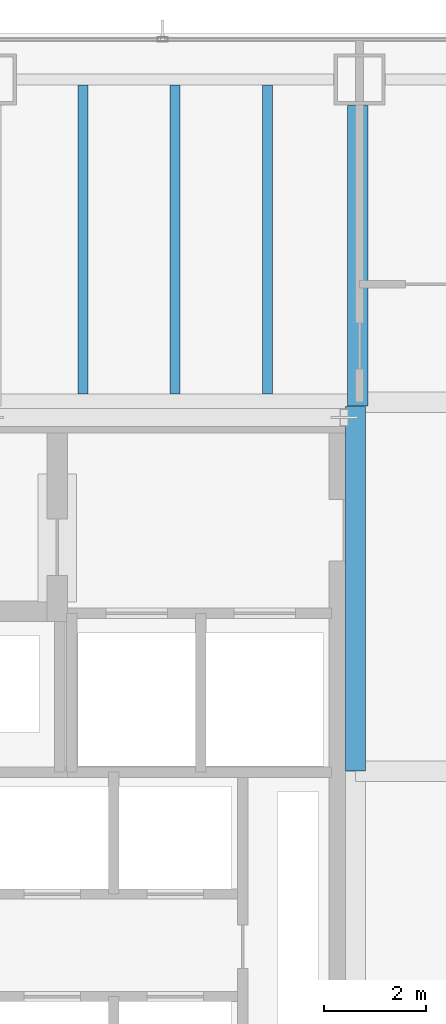
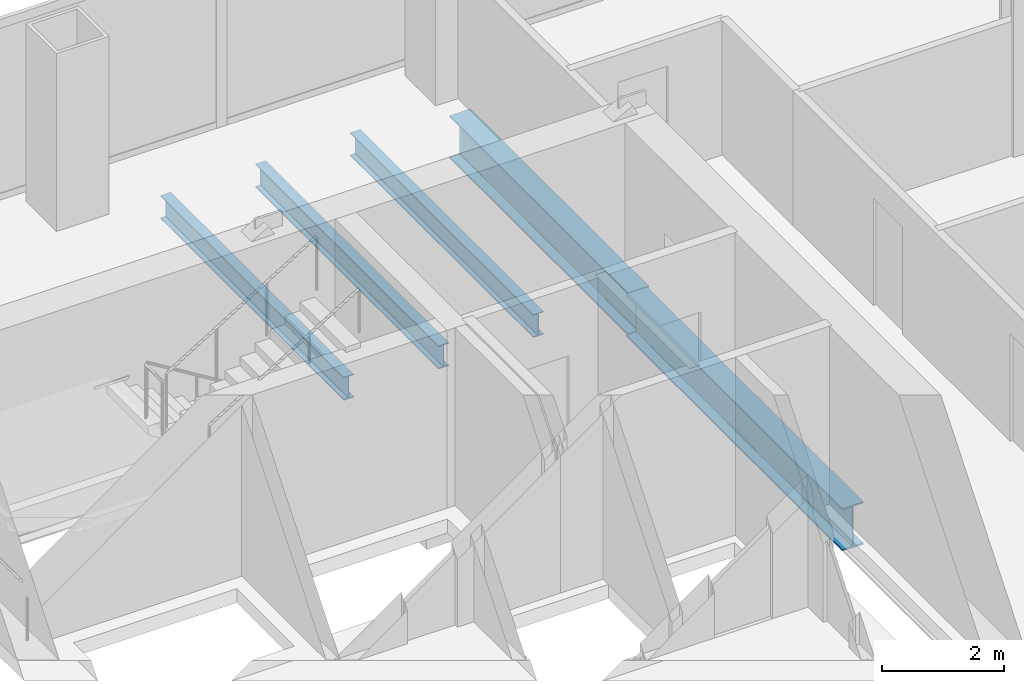
# One storey, part 15 of 24: 5 beams.
"""IFC4 building model written with IfcOpenShell, lengths in metres."""

import ifcopenshell
import ifcopenshell.guid

model = None  # the IFC model being written
_history = None  # IfcOwnerHistory: only IFC2X3 demands one
_inside = {}  # id of a spatial element -> (the spatial element, [elements in it])
_under = {}  # id of a project, library or spatial element -> (it, [spatial elements below it])
_declared = {}  # id of a project -> (the project, [libraries it declares])
_typed = {}  # id of a type object -> (the type object, [elements of that type])
_made_of = {}  # id of a material, layer set ... -> (it, [elements and type objects made of it])


def new_model(schema):
    """Start an empty IFC model of exactly this schema.

    Asked for "IFC4X3", IfcOpenShell would pick the latest addendum, in which some entities
    have other attributes; the version numbers below select the first issue.
    IFC2X3 requires an IfcOwnerHistory on every rooted entity: one is made here for all.
    """
    global model, _history
    if schema == "IFC4X3":
        model = ifcopenshell.file(schema_version=(4, 3, 0, 0))
    else:
        model = ifcopenshell.file(schema=schema)
    _inside.clear()
    _under.clear()
    _declared.clear()
    _typed.clear()
    _made_of.clear()
    _history = None
    if model.schema == "IFC2X3":
        org = make("IfcOrganization", Name="unknown")
        user = make(
            "IfcPersonAndOrganization",
            ThePerson=make("IfcPerson", FamilyName="unknown"),
            TheOrganization=org,
        )
        app = make(
            "IfcApplication",
            ApplicationDeveloper=org,
            Version="unknown",
            ApplicationFullName="unknown",
            ApplicationIdentifier="unknown",
        )
        _history = make(
            "IfcOwnerHistory",
            OwningUser=user,
            OwningApplication=app,
            ChangeAction="ADDED",
            CreationDate=0,
        )
    return model


def make(cls, **values):
    """One entity of the class cls with the attributes given. An attribute that is None is left unset."""
    return model.create_entity(
        cls, **{name: value for name, value in values.items() if value is not None}
    )


def rooted(cls, **values):
    """An entity with a GlobalId (a new one), such as an element, a storey or a relation."""
    return make(cls, GlobalId=ifcopenshell.guid.new(), OwnerHistory=_history, **values)


def si_unit(unit_type, name, prefix=None):
    """IfcSIUnit, for example si_unit("LENGTHUNIT", "METRE", prefix="MILLI")."""
    return make("IfcSIUnit", UnitType=unit_type, Prefix=prefix, Name=name)


def assignment(units):
    """IfcUnitAssignment: the units of a project."""
    return None if units is None else make("IfcUnitAssignment", Units=units)


def point(xyz):
    """IfcCartesianPoint."""
    return None if xyz is None else make("IfcCartesianPoint", Coordinates=xyz)


def direction(xyz):
    """IfcDirection."""
    return None if xyz is None else make("IfcDirection", DirectionRatios=xyz)


def frame(location, z_axis=None, x_axis=None):
    """IfcAxis2Placement3D, a coordinate frame: its origin and axes. An axis left out is left unset."""
    return make(
        "IfcAxis2Placement3D",
        Location=point(location),
        Axis=direction(z_axis),
        RefDirection=direction(x_axis),
    )


def frame_2d(location, x_axis=None):
    """IfcAxis2Placement2D, a coordinate frame in the plane: its origin and x axis."""
    return make(
        "IfcAxis2Placement2D", Location=point(location), RefDirection=direction(x_axis)
    )


def origin():
    """The frame at (0, 0, 0) with its axes left unset."""
    return frame((0.0, 0.0, 0.0))


def origin_2d():
    """The frame at (0, 0) in the plane with its x axis left unset."""
    return frame_2d((0.0, 0.0))


def place(relative_to, where):
    """IfcLocalPlacement: puts the frame where relative to a parent placement (None: the world)."""
    return make(
        "IfcLocalPlacement", PlacementRelTo=relative_to, RelativePlacement=where
    )


def context(
    kind, dimensions, precision=None, world=None, true_north=None, identifier=None
):
    """IfcGeometricRepresentationContext, for example the 3D "Model" context."""
    return make(
        "IfcGeometricRepresentationContext",
        ContextIdentifier=identifier,
        ContextType=kind,
        CoordinateSpaceDimension=dimensions,
        Precision=precision,
        WorldCoordinateSystem=world,
        TrueNorth=true_north,
    )


def subcontext(parent, identifier, kind, view, scale=None):
    """IfcGeometricRepresentationSubContext, for example "Body" below "Model"."""
    return make(
        "IfcGeometricRepresentationSubContext",
        ContextIdentifier=identifier,
        ContextType=kind,
        ParentContext=parent,
        TargetScale=scale,
        TargetView=view,
    )


def project(units=None, contexts=None):
    """IfcProject with its units and contexts."""
    return rooted(
        "IfcProject",
        Name="project",
        RepresentationContexts=contexts,
        UnitsInContext=assignment(units),
    )


def spatial(cls, under=None, at=None, **own):
    """A site, building, storey or space (cls), placed at a placement, below another one or the project."""
    s = rooted(cls, ObjectPlacement=at, **own)
    if under is not None:
        _under.setdefault(under.id(), (under, []))[1].append(s)
    return s


def profile(cls, at=None, kind="AREA", **sizes):
    """A parametric profile (cls). Its sizes go by their IFC names, for example OverallWidth=200.0."""
    return make(cls, ProfileType=kind, Position=at, **sizes)


def i_section(**sizes):
    """IfcIShapeProfileDef."""
    return profile("IfcIShapeProfileDef", **sizes)


def extrude(swept, where, along, depth):
    """IfcExtrudedAreaSolid: the profile swept, set in the frame where, extruded along a direction by depth."""
    return make(
        "IfcExtrudedAreaSolid",
        SweptArea=swept,
        Position=where,
        ExtrudedDirection=direction(along),
        Depth=depth,
    )


def shape(context_of_items, identifier, shape_type, items):
    """IfcShapeRepresentation: the items that make up one representation, for example the "Body"."""
    return make(
        "IfcShapeRepresentation",
        ContextOfItems=context_of_items,
        RepresentationIdentifier=identifier,
        RepresentationType=shape_type,
        Items=items,
    )


def material(Name=None, Category=None):
    """IfcMaterial."""
    return make("IfcMaterial", Name=Name, Category=Category)


def material_profile(
    of_material, cross_section, Name=None, Category=None, Priority=None
):
    """IfcMaterialProfile: a cross section and its material."""
    return make(
        "IfcMaterialProfile",
        Name=Name,
        Material=of_material,
        Profile=cross_section,
        Priority=Priority,
        Category=Category,
    )


def profile_set(profiles, Name=None, composite=None):
    """IfcMaterialProfileSet."""
    return make(
        "IfcMaterialProfileSet",
        Name=Name,
        MaterialProfiles=profiles,
        CompositeProfile=composite,
    )


def made_of(thing, what):
    """Note that an element or type object is made of a material, layer set ...; save() writes the relation."""
    if what is not None:
        _made_of.setdefault(what.id(), (what, []))[1].append(thing)
    return thing


def type_object(cls, material=None, **own):
    """A type object (cls), such as IfcWallType, which elements share."""
    return made_of(rooted(cls, **own), material)


def element(
    cls,
    number,
    at=None,
    inside=None,
    cuts=None,
    type_object=None,
    material=None,
    context=None,
    identifier="Body",
    shape_type=None,
    held_by="IfcProductDefinitionShape",
    body=None,
    shapes=None,
    **own,
):
    """One element of the class cls, such as IfcWall. Its Tag is "e" and its number.

    at: its placement. inside: the storey or other place that contains it. cuts: it is an
    opening in that element (IfcRelVoidsElement). A single representation is given by context,
    identifier, shape_type and body (its items); several are given by shapes. held_by: the class
    of the entity that holds the representations. save() writes the other relations.
    """
    e = rooted(cls, Tag="e%d" % number, ObjectPlacement=at, **own)
    if body is not None:
        shapes = [shape(context, identifier, shape_type, body)]
    if shapes is not None:
        e.Representation = make(held_by, Representations=shapes)
    if inside is not None:
        _inside.setdefault(inside.id(), (inside, []))[1].append(e)
    if cuts is not None:
        rooted(
            "IfcRelVoidsElement", RelatingBuildingElement=cuts, RelatedOpeningElement=e
        )
    if type_object is not None:
        _typed.setdefault(type_object.id(), (type_object, []))[1].append(e)
    return made_of(e, material)


def aggregate(whole, parts):
    """IfcRelAggregates: a whole, such as a stair, and the parts it consists of."""
    return rooted("IfcRelAggregates", RelatingObject=whole, RelatedObjects=parts)


def save(model, path):
    """Write the relations noted so far, then the file.

    IfcRelAggregates (storeys below a building ...), IfcRelContainedInSpatialStructure (elements
    in a storey), IfcRelDefinesByType, IfcRelAssociatesMaterial and IfcRelDeclares: one each for
    every whole, place, type object, material and project.
    """
    for whole, parts in _under.values():
        aggregate(whole, parts)
    for where, things in _inside.values():
        rooted(
            "IfcRelContainedInSpatialStructure",
            RelatedElements=things,
            RelatingStructure=where,
        )
    for kind, things in _typed.values():
        rooted("IfcRelDefinesByType", RelatedObjects=things, RelatingType=kind)
    for what, things in _made_of.values():
        rooted("IfcRelAssociatesMaterial", RelatedObjects=things, RelatingMaterial=what)
    for by, libraries in _declared.values():
        rooted("IfcRelDeclares", RelatingContext=by, RelatedDefinitions=libraries)
    model.write(path)


model = new_model("IFC4")

# Units and contexts
model_context = context("Model", 3, precision=1e-05, world=origin(), true_north=direction((0.0, 1.0)))
body_context = subcontext(model_context, "Body", "Model", "MODEL_VIEW")
ifc_project = project(units=[si_unit("LENGTHUNIT", "METRE"), si_unit("AREAUNIT", "SQUARE_METRE"), si_unit("VOLUMEUNIT", "CUBIC_METRE"), si_unit("PLANEANGLEUNIT", "RADIAN"), si_unit("MASSUNIT", "GRAM", prefix="KILO")], contexts=[model_context])

# Site, building, storey
site_placement = place(None, origin())
site = spatial("IfcSite", under=ifc_project, at=site_placement, CompositionType="ELEMENT")
building_placement = place(site_placement, origin())
building = spatial("IfcBuilding", under=site, at=building_placement, Name="Cobrela Telecom Tower", CompositionType="ELEMENT")
storey_placement = place(building_placement, frame((0.0, 0.0, 69.64990234375)))
storey = spatial("IfcBuildingStorey", under=building, at=storey_placement, Name="L17", CompositionType="ELEMENT", Elevation=69.64990234375)

# Beams
ifc_material = material(Name="Steel ASTM A992 Grade 50", Category="steel")
ifc_material_profile_1 = material_profile(ifc_material, i_section(OverallWidth=0.39892578125, OverallDepth=0.85595703125, WebThickness=0.018310546875, FlangeThickness=0.029296875, FilletRadius=0.02001953125, at=origin_2d()), Name="W33X201")
ifc_profile_set_1 = profile_set([ifc_material_profile_1], Name="Steel ASTM A992 Grade 50")
beam_type_1 = type_object("IfcBeamType", Name="BM-GIRD-03", PredefinedType="USERDEFINED", material=ifc_profile_set_1)
beam_1_placement = place(storey_placement, frame((14.320068359375, 28.804931640625, -0.7080078125), z_axis=(0.0, 1.0, 0.0), x_axis=(-1.0, 0.0, 0.0)))
element("IfcBeam", 1, at=beam_1_placement, inside=storey, type_object=beam_type_1, Name="L17 Primary Girder Y38", ObjectType="GIRDER", PredefinedType="USERDEFINED", context=body_context, shape_type="SweptSolid", body=[
    extrude(i_section(OverallWidth=0.39892578125, OverallDepth=0.85595703125, WebThickness=0.018310546875, FlangeThickness=0.029296875, FilletRadius=0.02001953125, at=origin_2d()), origin(), (0.0, 0.0, 1.0), 7.110107421875),
])
beam_2_placement = place(storey_placement, frame((14.360107421875, 35.925048828125, -0.7080078125), z_axis=(0.0, 1.0, 0.0), x_axis=(-1.0, 0.0, 0.0)))
element("IfcBeam", 2, at=beam_2_placement, inside=storey, type_object=beam_type_1, Name="L17 Primary Girder Y39", ObjectType="GIRDER", PredefinedType="USERDEFINED", context=body_context, shape_type="SweptSolid", body=[
    extrude(i_section(OverallWidth=0.39892578125, OverallDepth=0.85595703125, WebThickness=0.018310546875, FlangeThickness=0.029296875, FilletRadius=0.02001953125, at=origin_2d()), origin(), (0.0, 0.0, 1.0), 5.869873046875),
])
ifc_material_profile_2 = material_profile(ifc_material, i_section(OverallWidth=0.193115234375, OverallDepth=0.467041015625, WebThickness=0.011474609375, FlangeThickness=0.01904296875, FilletRadius=0.012939453125, at=origin_2d()), Name="W18X65")
ifc_profile_set_2 = profile_set([ifc_material_profile_2], Name="Steel ASTM A992 Grade 50")
beam_type_2 = type_object("IfcBeamType", Name="BM-JOIST-03", PredefinedType="JOIST", material=ifc_profile_set_2)
for number, where, z_axis, x_axis, name in (
    (3, (9.0, 36.16455078125, -0.513427734375), (0.0, 1.0, 0.0), (-1.0, 0.0, 0.0), "L17 Secondary Composite Floor Beam J02"),
    (4, (10.800048828125, 36.16455078125, -0.513427734375), (0.0, 1.0, 0.0), (-1.0, 0.0, 0.0), "L17 Secondary Composite Floor Beam J04"),
    (5, (12.60009765625, 36.16455078125, -0.513427734375), (0.0, 1.0, 0.0), (-1.0, 0.0, 0.0), "L17 Secondary Composite Floor Beam J06"),
):
    element("IfcBeam", number, at=place(storey_placement, frame(where, z_axis=z_axis, x_axis=x_axis)), inside=storey, type_object=beam_type_2, Name=name, PredefinedType="JOIST", context=body_context, shape_type="SweptSolid", body=[
        extrude(i_section(OverallWidth=0.193115234375, OverallDepth=0.467041015625, WebThickness=0.011474609375, FlangeThickness=0.01904296875, FilletRadius=0.012939453125, at=origin_2d()), origin(), (0.0, 0.0, 1.0), 6.02392578125),
    ])

save(model, "model.ifc")
